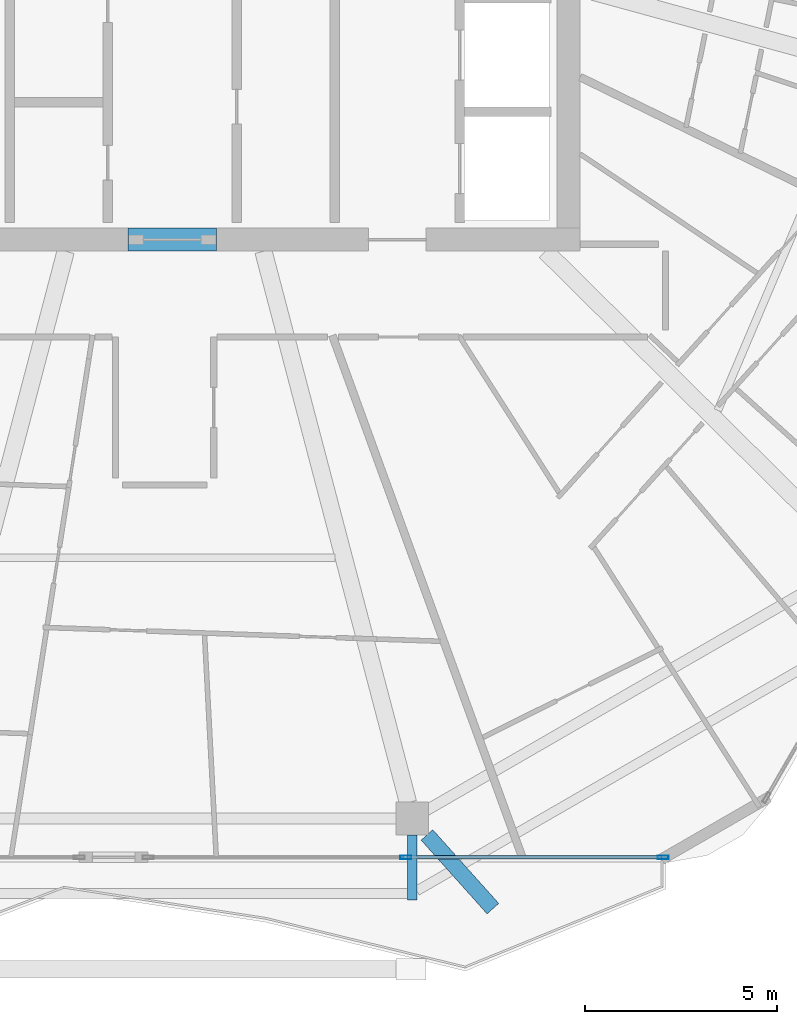
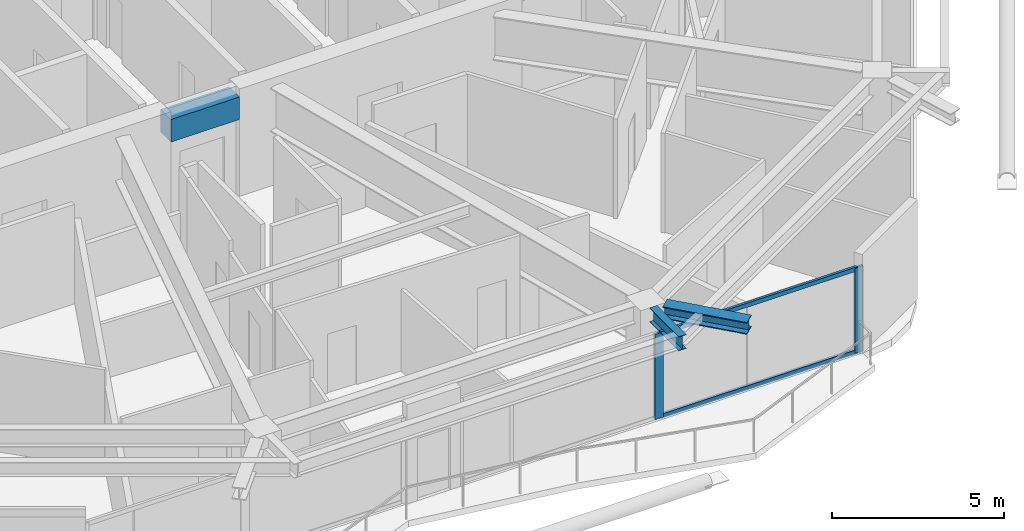
# One storey, part 8 of 26: 4 members, 3 beams, 1 element without a shape of its own.
"""IFC4 building model written with IfcOpenShell, lengths in metres."""

from ifc_helpers import new_model, si_unit, direction, frame, origin, origin_2d, place, context, subcontext, project, spatial, rectangle, hollow_rectangle, i_section, extrude, material, material_profile, profile_set, type_object, element, aggregate, save


model = new_model("IFC4")

# Units and contexts
model_context = context("Model", 3, precision=1e-05, world=origin(), true_north=direction((0.0, 1.0)))
body_context = subcontext(model_context, "Body", "Model", "MODEL_VIEW")
ifc_project = project(units=[si_unit("LENGTHUNIT", "METRE"), si_unit("AREAUNIT", "SQUARE_METRE"), si_unit("VOLUMEUNIT", "CUBIC_METRE"), si_unit("PLANEANGLEUNIT", "RADIAN"), si_unit("MASSUNIT", "GRAM", prefix="KILO")], contexts=[model_context])

# Site, building, storey
site_placement = place(None, origin())
site = spatial("IfcSite", under=ifc_project, at=site_placement, CompositionType="ELEMENT")
building_placement = place(site_placement, origin())
building = spatial("IfcBuilding", under=site, at=building_placement, Name="Zuhravey Tower", CompositionType="ELEMENT")
storey_placement = place(building_placement, frame((0.0, 0.0, 299.60009765625)))
storey = spatial("IfcBuildingStorey", under=building, at=storey_placement, Name="L76", CompositionType="ELEMENT", Elevation=299.60009765625)

# Beam
ifc_material_1 = material(Name="Concrete C50/60", Category="concrete")
ifc_material_profile_1 = material_profile(ifc_material_1, rectangle(XDim=0.60009765625, YDim=0.800048828125, at=origin_2d()), Name="RC-600x800")
ifc_profile_set_1 = profile_set([ifc_material_profile_1], Name="Concrete C50/60")
beam_type_1 = type_object("IfcBeamType", Name="Core Coupling Beam RC600x800", PredefinedType="LINTEL", material=ifc_profile_set_1)
beam_1_placement = place(storey_placement, frame((35.052001953125, 22.5, 3.119873046875), z_axis=(1.0, 0.0, 0.0), x_axis=(0.0, 1.0, 0.0)))
element("IfcBeam", 1, at=beam_1_placement, inside=storey, type_object=beam_type_1, Name="L76 CB2 BM-L76-CB-S", PredefinedType="LINTEL", context=body_context, shape_type="SweptSolid", body=[
    extrude(rectangle(XDim=0.60009765625, YDim=0.800048828125, at=origin_2d()), origin(), (0.0, 0.0, 1.0), 2.2958984375),
])

# Curtain wall, members
ifc_material_2 = material(Name="Thermally broken anodised aluminium", Category="aluminium")
curtain_wall_type = type_object("IfcCurtainWallType", Name="Zone 3-4 High-Rise Curtain Wall CW4", PredefinedType="NOTDEFINED", material=ifc_material_2)
curtain_wall_placement = place(storey_placement, origin())
curtain_wall = element("IfcCurtainWall", 2, at=curtain_wall_placement, inside=storey, type_object=curtain_wall_type, Name="L76 CW4 CW-L76-F5-1", PredefinedType="NOTDEFINED")
ifc_material_3 = material(Name="Anodised aluminium", Category="aluminium")
ifc_material_profile_2 = material_profile(ifc_material_3, hollow_rectangle(XDim=0.090087890625, YDim=0.284912109375, WallThickness=0.0048828125, at=origin_2d()), Name="ALU-RHS-90x285x5")
ifc_profile_set_2 = profile_set([ifc_material_profile_2], Name="Anodised aluminium")
member_type_1 = type_object("IfcMemberType", Name="Curtain-Wall Mullion 90x180", PredefinedType="MULLION", material=ifc_profile_set_2)
member_1_placement = place(storey_placement, frame((48.9677734375, 6.436279296875, 0.0), z_axis=(0.0, 0.0, 1.0), x_axis=(0.0, -1.0, 0.0)))
member_1 = element("IfcMember", 3, at=member_1_placement, type_object=member_type_1, Name="CW4 mullion 1", PredefinedType="MULLION", context=body_context, shape_type="SweptSolid", body=[
    extrude(hollow_rectangle(XDim=0.090087890625, YDim=0.284912109375, WallThickness=0.0048828125, at=origin_2d()), origin(), (0.0, 0.0, 1.0), 3.02001953125),
])
member_2_placement = place(storey_placement, frame((42.26904296875, 6.436279296875, 0.0), z_axis=(0.0, 0.0, 1.0), x_axis=(0.0, -1.0, 0.0)))
member_2 = element("IfcMember", 4, at=member_2_placement, type_object=member_type_1, Name="CW4 mullion 2", PredefinedType="MULLION", context=body_context, shape_type="SweptSolid", body=[
    extrude(hollow_rectangle(XDim=0.090087890625, YDim=0.284912109375, WallThickness=0.0048828125, at=origin_2d()), origin(), (0.0, 0.0, 1.0), 3.02001953125),
])
ifc_material_profile_3 = material_profile(ifc_material_3, hollow_rectangle(XDim=0.090087890625, YDim=0.14990234375, WallThickness=0.0048828125, at=origin_2d()), Name="ALU-RHS-90x150x5")
ifc_profile_set_3 = profile_set([ifc_material_profile_3], Name="Anodised aluminium")
member_type_2 = type_object("IfcMemberType", Name="Curtain-Wall Transom 90x150", PredefinedType="USERDEFINED", material=ifc_profile_set_3)
member_3_placement = place(storey_placement, frame((48.922607421875, 6.436279296875, 0.044921875), z_axis=(-1.0, 0.0, 0.0), x_axis=(0.0, -1.0, 0.0)))
member_3 = element("IfcMember", 5, at=member_3_placement, type_object=member_type_2, Name="CW4 transom 1.1", ObjectType="TRANSOM", PredefinedType="USERDEFINED", context=body_context, shape_type="SweptSolid", body=[
    extrude(hollow_rectangle(XDim=0.090087890625, YDim=0.14990234375, WallThickness=0.0048828125, at=origin_2d()), origin(), (0.0, 0.0, 1.0), 6.6083984375),
])
member_4_placement = place(storey_placement, frame((48.922607421875, 6.436279296875, 2.974853515625), z_axis=(-1.0, 0.0, 0.0), x_axis=(0.0, -1.0, 0.0)))
member_4 = element("IfcMember", 6, at=member_4_placement, type_object=member_type_2, Name="CW4 transom 1.2", ObjectType="TRANSOM", PredefinedType="USERDEFINED", context=body_context, shape_type="SweptSolid", body=[
    extrude(hollow_rectangle(XDim=0.090087890625, YDim=0.14990234375, WallThickness=0.0048828125, at=origin_2d()), origin(), (0.0, 0.0, 1.0), 6.6083984375),
])
aggregate(curtain_wall, [member_1, member_2, member_3, member_4])

# Beams
ifc_material_4 = material(Name="Steel SM460", Category="steel")
ifc_material_profile_4 = material_profile(ifc_material_4, i_section(OverallWidth=0.406982421875, OverallDepth=0.427978515625, WebThickness=0.02001953125, FlangeThickness=0.034912109375, at=origin_2d()), Name="H-428x407x20x35")
ifc_profile_set_4 = profile_set([ifc_material_profile_4], Name="Steel SM460")
beam_type_2 = type_object("IfcBeamType", Name="Exoskeleton Node Tie Beam H428x407", PredefinedType="BEAM", material=ifc_profile_set_4)
beam_2_placement = place(storey_placement, frame((42.823974609375, 7.018310546875, 3.305908203125), z_axis=(0.667016801308, -0.745042674465, 0.0), x_axis=(0.745042674465, 0.667016801308, 0.0)))
element("IfcBeam", 7, at=beam_2_placement, inside=storey, type_object=beam_type_2, Name="L76 Exoskeleton Node Tie NT1-10", PredefinedType="BEAM", context=body_context, shape_type="SweptSolid", body=[
    extrude(i_section(OverallWidth=0.406982421875, OverallDepth=0.427978515625, WebThickness=0.02001953125, FlangeThickness=0.034912109375, at=origin_2d()), origin(), (0.0, 0.0, 1.0), 2.572021484375),
])
ifc_material_5 = material(Name="Steel SM355", Category="steel")
ifc_material_profile_5 = material_profile(ifc_material_5, i_section(OverallWidth=0.25, OverallDepth=0.5, WebThickness=0.010009765625, FlangeThickness=0.01611328125, at=origin_2d()), Name="H-500x250x10x16")
ifc_profile_set_5 = profile_set([ifc_material_profile_5], Name="Steel SM355")
beam_type_3 = type_object("IfcBeamType", Name="Tray Cantilever Spandrel H500x250", PredefinedType="SPANDREL", material=ifc_profile_set_5)
beam_3_placement = place(storey_placement, frame((42.44091796875, 7.017333984375, 3.27001953125), z_axis=(0.0, -1.0, 0.0), x_axis=(1.0, 0.0, 0.0)))
element("IfcBeam", 8, at=beam_3_placement, inside=storey, type_object=beam_type_3, Name="L76 Sky-Tray Cantilever Arm TSB1-R10", PredefinedType="SPANDREL", context=body_context, shape_type="SweptSolid", body=[
    extrude(i_section(OverallWidth=0.25, OverallDepth=0.5, WebThickness=0.010009765625, FlangeThickness=0.01611328125, at=origin_2d()), origin(), (0.0, 0.0, 1.0), 1.69091796875),
])

save(model, "model.ifc")
